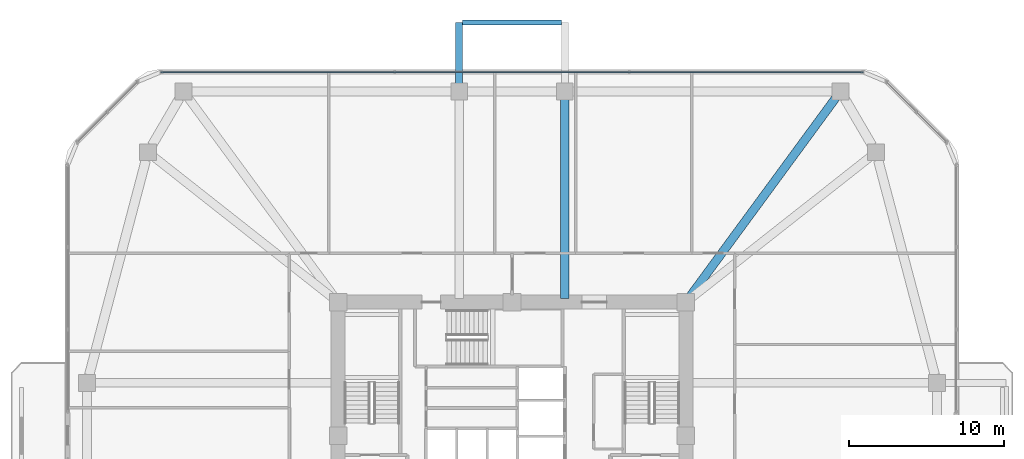
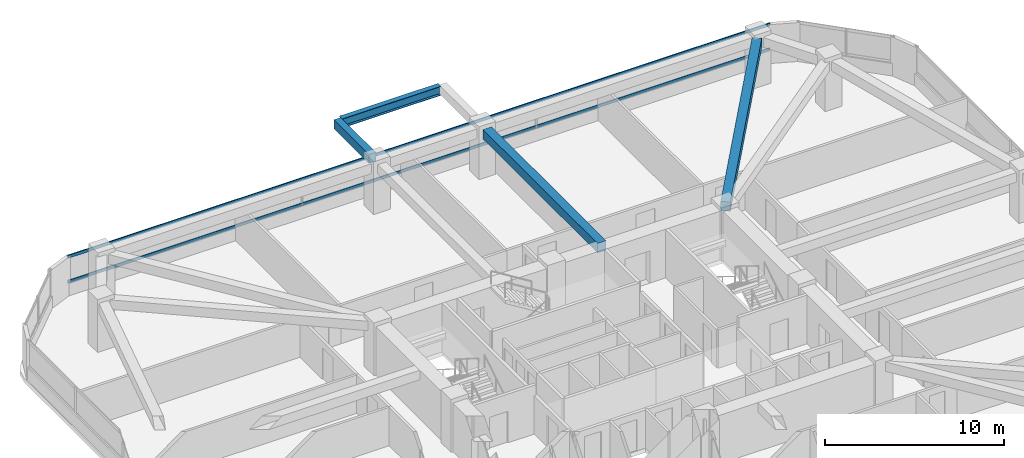
# One storey, part 7 of 15: 4 beams, 2 members, 1 element without a shape of its own.
"""IFC4 building model written with IfcOpenShell, lengths in metres."""

from ifc_helpers import new_model, si_unit, derived_unit, direction, frame, origin, origin_2d, place, context, subcontext, project, spatial, rectangle, i_section, extrude, material, material_profile, profile_set, type_object, element, aggregate, save


model = new_model("IFC4")

# Units and contexts
model_context = context("Model", 3, precision=1e-05, world=origin(), true_north=direction((0.0, 1.0)))
body_context = subcontext(model_context, "Body", "Model", "MODEL_VIEW")
ifc_project = project(units=[si_unit("LENGTHUNIT", "METRE"), si_unit("AREAUNIT", "SQUARE_METRE"), si_unit("VOLUMEUNIT", "CUBIC_METRE"), si_unit("PLANEANGLEUNIT", "RADIAN"), si_unit("MASSUNIT", "GRAM", prefix="KILO"), derived_unit("THERMALTRANSMITTANCEUNIT", [(si_unit("POWERUNIT", "WATT"), 1), (si_unit("LENGTHUNIT", "METRE"), -2), (si_unit("THERMODYNAMICTEMPERATUREUNIT", "KELVIN"), -1)])], contexts=[model_context])

# Site, building, storey
site_placement = place(None, origin())
site = spatial("IfcSite", under=ifc_project, at=site_placement, CompositionType="ELEMENT")
building_placement = place(site_placement, origin())
building = spatial("IfcBuilding", under=site, at=building_placement, Name="Koralith Skygarden Medical Center", CompositionType="ELEMENT")
storey_placement = place(building_placement, frame((0.0, 0.0, 41.93994140625)))
storey = spatial("IfcBuildingStorey", under=building, at=storey_placement, Name="L10", CompositionType="ELEMENT", Elevation=41.93994140625)

# Curtain wall, members
ifc_material_1 = material(Name="Clear Laminated Glass", Category="glass")
curtain_wall_type = type_object("IfcCurtainWallType", Name="CW-2 Zone 1 Hurricane Unitised Curtain Wall", PredefinedType="NOTDEFINED", material=ifc_material_1)
curtain_wall_placement = place(storey_placement, origin())
curtain_wall = element("IfcCurtainWall", 1, at=curtain_wall_placement, inside=storey, type_object=curtain_wall_type, Name="Curtain Wall CW-L10-N", PredefinedType="NOTDEFINED")
ifc_material_2 = material(Name="Aluminium 6063-T6", Category="aluminium")
ifc_material_profile_1 = material_profile(ifc_material_2, rectangle(XDim=0.06591796875, YDim=0.197998046875, at=origin_2d()), Name="TRN66X198")
ifc_profile_set_1 = profile_set([ifc_material_profile_1], Name="Aluminium 6063-T6")
member_type = type_object("IfcMemberType", Name="CW-2 Thermal Transom 66x198", PredefinedType="USERDEFINED", material=ifc_profile_set_1)
member_1_placement = place(storey_placement, frame((59.64501953125, 49.320068359375, 0.900146484375), z_axis=(-1.0, 0.0, 0.0), x_axis=(0.0, -1.0, 0.0)))
member_1 = element("IfcMember", 2, at=member_1_placement, type_object=member_type, Name="CW-L10-N Transom 1", ObjectType="TRANSOM", PredefinedType="USERDEFINED", context=body_context, shape_type="SweptSolid", body=[
    extrude(rectangle(XDim=0.06591796875, YDim=0.197998046875, at=origin_2d()), origin(), (0.0, 0.0, 1.0), 45.2900390625),
])
member_2_placement = place(storey_placement, frame((59.64501953125, 49.320068359375, 2.60009765625), z_axis=(-1.0, 0.0, 0.0), x_axis=(0.0, -1.0, 0.0)))
member_2 = element("IfcMember", 3, at=member_2_placement, type_object=member_type, Name="CW-L10-N Transom 2", ObjectType="TRANSOM", PredefinedType="USERDEFINED", context=body_context, shape_type="SweptSolid", body=[
    extrude(rectangle(XDim=0.06591796875, YDim=0.197998046875, at=origin_2d()), origin(), (0.0, 0.0, 1.0), 45.2900390625),
])
aggregate(curtain_wall, [member_1, member_2])

# Beams
ifc_material_3 = material(Name="Steel ASTM A992 Grade 50", Category="steel")
ifc_material_profile_2 = material_profile(ifc_material_3, i_section(OverallWidth=0.326904296875, OverallDepth=0.6220703125, WebThickness=0.015380859375, FlangeThickness=0.0244140625, at=origin_2d()), Name="W24X131")
ifc_profile_set_2 = profile_set([ifc_material_profile_2], Name="Steel ASTM A992 Grade 50")
beam_type_1 = type_object("IfcBeamType", Name="Cantilever Tie Beam W24X131", PredefinedType="BEAM", material=ifc_profile_set_2)
beam_1_placement = place(storey_placement, frame((33.820068359375, 52.52001953125, 3.029052734375), z_axis=(1.0, 0.0, 0.0), x_axis=(0.0, 1.0, 0.0)))
element("IfcBeam", 4, at=beam_1_placement, inside=storey, type_object=beam_type_1, Name="L11 N Balcony Tip Tie Beam", PredefinedType="BEAM", context=body_context, shape_type="SweptSolid", body=[
    extrude(i_section(OverallWidth=0.326904296875, OverallDepth=0.6220703125, WebThickness=0.015380859375, FlangeThickness=0.0244140625, at=origin_2d()), origin(), (0.0, 0.0, 1.0), 6.35986328125),
])
ifc_material_4 = material(Name="Concrete C45/55", Category="concrete")
ifc_material_profile_3 = material_profile(ifc_material_4, rectangle(XDim=0.449951171875, YDim=0.60009765625, at=origin_2d()), Name="RCB450X600")
ifc_profile_set_3 = profile_set([ifc_material_profile_3], Name="Concrete C45/55")
beam_type_2 = type_object("IfcBeamType", Name="Planted Balcony Cantilever Beam RCB450X600", PredefinedType="BEAM", material=ifc_profile_set_3)
beam_2_placement = place(storey_placement, frame((33.60009765625, 48.60009765625, 3.0400390625), z_axis=(0.0, 1.0, 0.0), x_axis=(-1.0, 0.0, 0.0)))
element("IfcBeam", 5, at=beam_2_placement, inside=storey, type_object=beam_type_2, Name="L11 N Balcony Cantilever Beam A", PredefinedType="BEAM", context=body_context, shape_type="SweptSolid", body=[
    extrude(rectangle(XDim=0.449951171875, YDim=0.60009765625, at=origin_2d()), origin(), (0.0, 0.0, 1.0), 3.919921875),
])
ifc_material_profile_4 = material_profile(ifc_material_4, rectangle(XDim=0.550048828125, YDim=0.639892578125, at=origin_2d()), Name="RCB550X640")
ifc_profile_set_4 = profile_set([ifc_material_profile_4], Name="Concrete C45/55")
beam_type_3 = type_object("IfcBeamType", Name="Radial Collector Beam RCB550X640", PredefinedType="BEAM", material=ifc_profile_set_4)
beam_3_placement = place(storey_placement, frame((48.347900390625, 34.701904296875, 3.0), z_axis=(0.591710803277, 0.806150311843, 0.0), x_axis=(-0.806150311843, 0.591710803277, 0.0)))
element("IfcBeam", 6, at=beam_3_placement, inside=storey, type_object=beam_type_3, Name="L10 Radial Collector Beam RB-11", PredefinedType="BEAM", context=body_context, shape_type="SweptSolid", body=[
    extrude(rectangle(XDim=0.550048828125, YDim=0.639892578125, at=origin_2d()), origin(), (0.0, 0.0, 1.0), 16.0654296875),
])
beam_4_placement = place(storey_placement, frame((40.39990234375, 34.75, 3.0), z_axis=(0.0, 1.0, 0.0), x_axis=(-1.0, 0.0, 0.0)))
element("IfcBeam", 7, at=beam_4_placement, inside=storey, type_object=beam_type_3, Name="L10 Radial Collector Beam RB-12", PredefinedType="BEAM", context=body_context, shape_type="SweptSolid", body=[
    extrude(rectangle(XDim=0.550048828125, YDim=0.639892578125, at=origin_2d()), origin(), (0.0, 0.0, 1.0), 12.800048828125),
])

save(model, "model.ifc")
